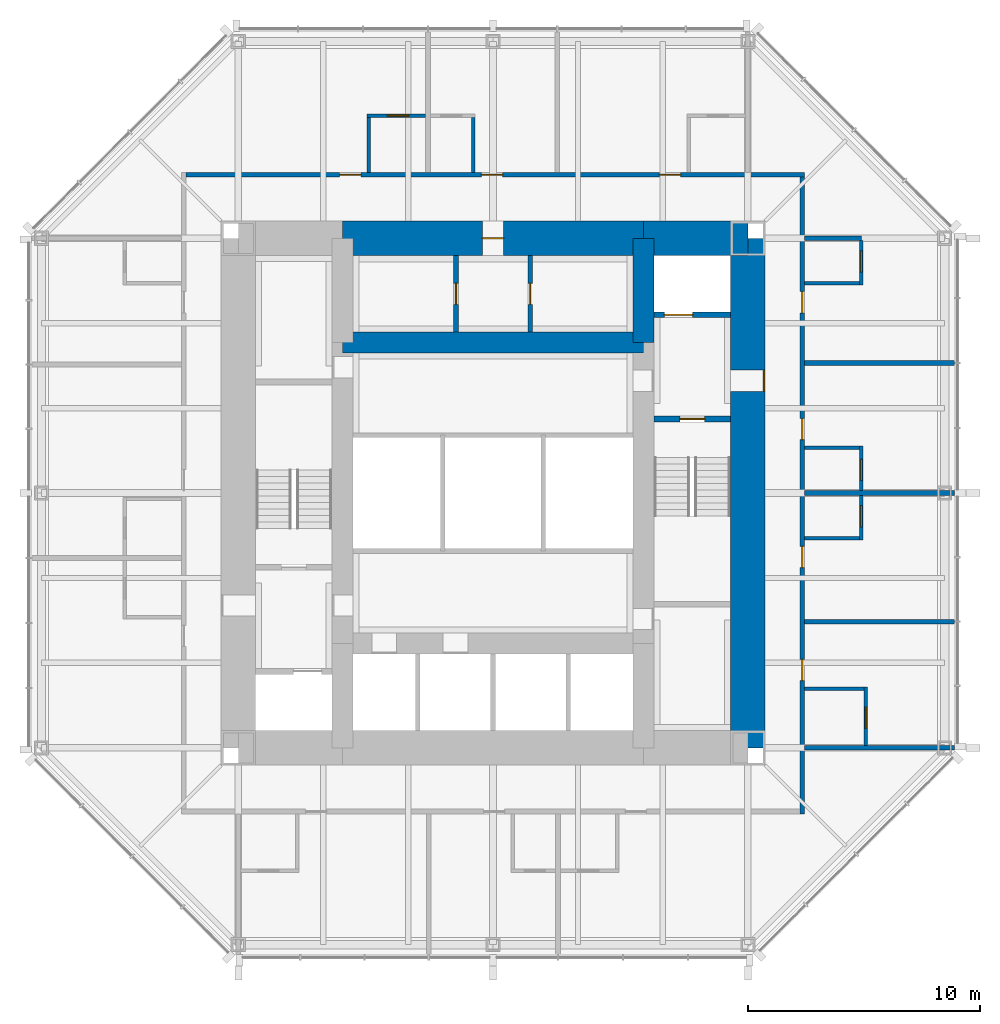
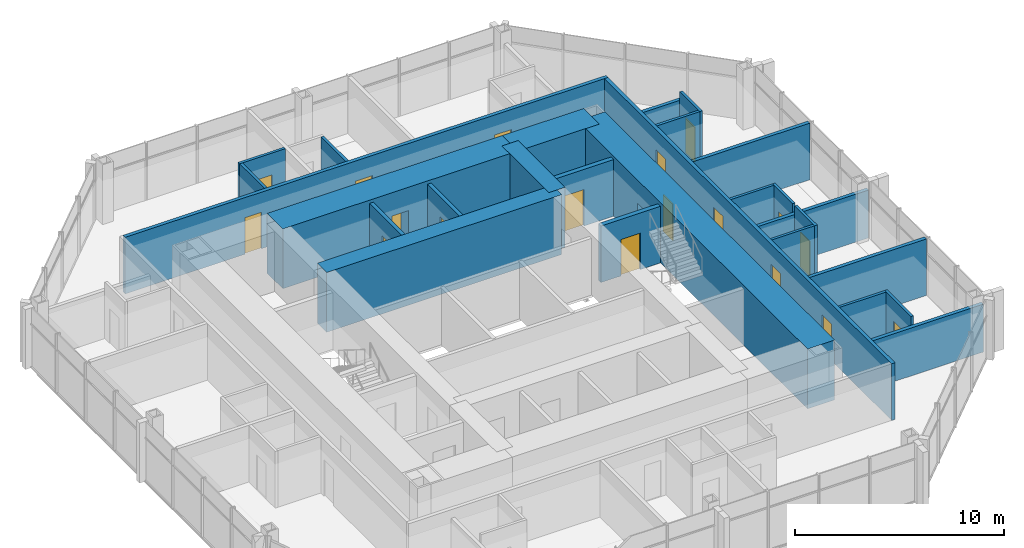
# One storey, part 9 of 11: 27 walls, 18 doors, 18 openings.
"""IFC4 building model written with IfcOpenShell, lengths in metres."""

from ifc_helpers import new_model, si_unit, direction, frame, frame_2d, origin, place, context, subcontext, project, spatial, rectangle, extrude, material, layer, layer_set, type_object, element, fill, save


model = new_model("IFC4")

# Units and contexts
model_context = context("Model", 3, precision=1e-05, world=origin(), true_north=direction((0.0, 1.0)))
body_context = subcontext(model_context, "Body", "Model", "MODEL_VIEW")
ifc_project = project(units=[si_unit("LENGTHUNIT", "METRE"), si_unit("AREAUNIT", "SQUARE_METRE"), si_unit("VOLUMEUNIT", "CUBIC_METRE"), si_unit("PLANEANGLEUNIT", "RADIAN"), si_unit("MASSUNIT", "GRAM", prefix="KILO")], contexts=[model_context])

# Site, building, storey
site_placement = place(None, origin())
site = spatial("IfcSite", under=ifc_project, at=site_placement, CompositionType="ELEMENT")
building_placement = place(site_placement, origin())
building = spatial("IfcBuilding", under=site, at=building_placement, Name="Trevanion Tower", CompositionType="ELEMENT")
storey_placement = place(building_placement, frame((0.0, 0.0, 218.699951171875)))
storey = spatial("IfcBuildingStorey", under=building, at=storey_placement, Name="L52", CompositionType="ELEMENT", Elevation=218.699951171875)

# Wall, opening, door
ifc_material_1 = material(Name="Concrete 10,000 psi", Category="concrete")
ifc_layer_1 = layer(ifc_material_1, 1.5)
ifc_layer_set_1 = layer_set([ifc_layer_1], Name="CW1 core wall 1500")
wall_type_1 = type_object("IfcWallType", Name="CW1 core wall 1500", PredefinedType="SHEAR", material=ifc_layer_set_1)
wall_1_placement = place(storey_placement, frame((11.0, -11.0, 0.0), z_axis=(0.0, 0.0, 1.0), x_axis=(0.0, 1.0, 0.0)))
wall_1 = element("IfcWall", 1, at=wall_1_placement, inside=storey, type_object=wall_type_1, Name="CW1 CE L52", PredefinedType="SHEAR", context=body_context, shape_type="SweptSolid", body=[
    extrude(rectangle(XDim=22.0, YDim=1.5, at=frame_2d((11.0, 0.0))), origin(), (0.0, 0.0, 1.0), 3.5),
])
opening_1_placement = place(wall_1_placement, frame((15.392578125, 0.0, 0.0)))
opening_1 = element("IfcOpeningElement", 2, at=opening_1_placement, cuts=wall_1, Name="Opening 52-001", PredefinedType="OPENING", context=body_context, shape_type="SweptSolid", body=[
    extrude(rectangle(XDim=0.9150390625, YDim=2.134033203125, at=frame_2d((0.45751953125, 1.06689453125))), frame((0.0, 0.760009765625, 0.0), z_axis=(0.0, -1.0, 0.0), x_axis=(1.0, 0.0, 0.0)), (0.0, 0.0, 1.0), 1.52001953125),
])
ifc_material_2 = material(Name="Hollow metal, fire rated", Category="steel")
door_type_1 = type_object("IfcDoorType", Name="D3 fire lift lobby door", OperationType="SINGLE_SWING_RIGHT", PredefinedType="DOOR", material=ifc_material_2)
door_1_placement = place(opening_1_placement, origin())
door_1 = element("IfcDoor", 3, at=door_1_placement, inside=storey, type_object=door_type_1, Name="Door 52-001", OperationType="SINGLE_SWING_RIGHT", OverallHeight=2.134033203125, OverallWidth=0.9150390625, PredefinedType="DOOR", context=body_context, shape_type="SweptSolid", body=[
    extrude(rectangle(XDim=0.9150390625, YDim=2.134033203125, at=frame_2d((0.45751953125, 1.06689453125))), frame((0.0, -0.6748046875, 0.0), z_axis=(0.0, -1.0, 0.0), x_axis=(1.0, 0.0, 0.0)), (0.0, 0.0, 1.0), 0.050048828125),
])
fill(opening_1, door_1)

# Wall
wall_2_placement = place(storey_placement, frame((11.0, 11.0, 0.0), z_axis=(0.0, 0.0, 1.0), x_axis=(-1.0, 0.0, 0.0)))
element("IfcWall", 4, at=wall_2_placement, inside=storey, type_object=wall_type_1, Name="CW1 CN1 L52", PredefinedType="SHEAR", context=body_context, shape_type="SweptSolid", body=[
    extrude(rectangle(XDim=4.5, YDim=1.5, at=frame_2d((2.25, 0.0))), origin(), (0.0, 0.0, 1.0), 3.5),
])

# Wall, opening, door
wall_3_placement = place(storey_placement, frame((6.5, 11.0, 0.0), z_axis=(0.0, 0.0, 1.0), x_axis=(-1.0, 0.0, 0.0)))
wall_3 = element("IfcWall", 5, at=wall_3_placement, inside=storey, type_object=wall_type_1, Name="CW1 CN2 L52", PredefinedType="SHEAR", context=body_context, shape_type="SweptSolid", body=[
    extrude(rectangle(XDim=13.0, YDim=1.5, at=frame_2d((6.5, 0.0))), origin(), (0.0, 0.0, 1.0), 3.5),
])
opening_2_placement = place(wall_3_placement, frame((6.04248046875, 0.0, 0.0)))
opening_2 = element("IfcOpeningElement", 6, at=opening_2_placement, cuts=wall_3, Name="Opening 52-013", PredefinedType="OPENING", context=body_context, shape_type="SweptSolid", body=[
    extrude(rectangle(XDim=0.9150390625, YDim=2.134033203125, at=frame_2d((0.45751953125, 1.06689453125))), frame((0.0, 0.760009765625, 0.0), z_axis=(0.0, -1.0, 0.0), x_axis=(1.0, 0.0, 0.0)), (0.0, 0.0, 1.0), 1.52001953125),
])
ifc_material_3 = material(Name="Hollow metal, fire rated", Category="steel")
door_type_2 = type_object("IfcDoorType", Name="D5 service room door", OperationType="SINGLE_SWING_RIGHT", PredefinedType="DOOR", material=ifc_material_3)
door_2_placement = place(opening_2_placement, origin())
door_2 = element("IfcDoor", 7, at=door_2_placement, inside=storey, type_object=door_type_2, Name="Door 52-013", OperationType="SINGLE_SWING_RIGHT", OverallHeight=2.134033203125, OverallWidth=0.9150390625, PredefinedType="DOOR", context=body_context, shape_type="SweptSolid", body=[
    extrude(rectangle(XDim=0.9150390625, YDim=2.134033203125, at=frame_2d((0.45751953125, 1.06689453125))), frame((0.0, 0.02490234375, 0.0), z_axis=(0.0, -1.0, 0.0), x_axis=(1.0, 0.0, 0.0)), (0.0, 0.0, 1.0), 0.050048828125),
])
fill(opening_2, door_2)

# Walls
ifc_material_4 = material(Name="Concrete 10,000 psi", Category="concrete")
ifc_layer_2 = layer(ifc_material_4, 0.89990234375)
ifc_layer_set_2 = layer_set([ifc_layer_2], Name="CW2 core wall 900")
wall_type_2 = type_object("IfcWallType", Name="CW2 core wall 900", PredefinedType="SHEAR", material=ifc_layer_set_2)
wall_4_placement = place(storey_placement, frame((6.5, 6.5, 0.0), z_axis=(0.0, 0.0, 1.0), x_axis=(0.0, 1.0, 0.0)))
element("IfcWall", 8, at=wall_4_placement, inside=storey, type_object=wall_type_2, Name="CW2 RE3 L52", PredefinedType="SHEAR", context=body_context, shape_type="SweptSolid", body=[
    extrude(rectangle(XDim=4.5, YDim=0.89990234375, at=frame_2d((2.25, 0.0))), origin(), (0.0, 0.0, 1.0), 3.5),
])
wall_5_placement = place(storey_placement, frame((6.5, 6.5, 0.0), z_axis=(0.0, 0.0, 1.0), x_axis=(-1.0, 0.0, 0.0)))
element("IfcWall", 9, at=wall_5_placement, inside=storey, type_object=wall_type_2, Name="CW2 RN L52", PredefinedType="SHEAR", context=body_context, shape_type="SweptSolid", body=[
    extrude(rectangle(XDim=13.0, YDim=0.89990234375, at=frame_2d((6.5, 0.0))), origin(), (0.0, 0.0, 1.0), 3.5),
])

# Wall, opening, door
ifc_material_5 = material(Name="Gypsum board on steel studs", Category="steel")
ifc_layer_3 = layer(ifc_material_5, 0.14990234375)
ifc_layer_set_3 = layer_set([ifc_layer_3], Name="PT1 partition 150")
wall_type_3 = type_object("IfcWallType", Name="PT1 partition 150", PredefinedType="PARTITIONING", material=ifc_layer_set_3)
wall_6_placement = place(storey_placement, frame((16.10009765625, -10.89990234375, 0.0), z_axis=(0.0, 0.0, 1.0), x_axis=(0.0, 1.0, 0.0)))
wall_6 = element("IfcWall", 10, at=wall_6_placement, inside=storey, type_object=wall_type_3, Name="PT1 L52 BA00", PredefinedType="PARTITIONING", context=body_context, shape_type="SweptSolid", body=[
    extrude(rectangle(XDim=2.52490234375, YDim=0.14990234375, at=frame_2d((1.262451171875, 0.0))), origin(), (0.0, 0.0, 1.0), 3.31005859375),
])
opening_3_placement = place(wall_6_placement, frame((0.742431640625, 0.0, 0.0)))
opening_3 = element("IfcOpeningElement", 11, at=opening_3_placement, cuts=wall_6, Name="Opening 52-016", PredefinedType="OPENING", context=body_context, shape_type="SweptSolid", body=[
    extrude(rectangle(XDim=0.9150390625, YDim=2.031982421875, at=frame_2d((0.45751953125, 1.01611328125))), frame((0.0, 0.0849609375, 0.0), z_axis=(0.0, -1.0, 0.0), x_axis=(1.0, 0.0, 0.0)), (0.0, 0.0, 1.0), 0.169921875),
])
ifc_material_6 = material(Name="Timber veneer", Category="wood")
door_type_3 = type_object("IfcDoorType", Name="D7 bathroom door", OperationType="SINGLE_SWING_LEFT", PredefinedType="DOOR", material=ifc_material_6)
door_3_placement = place(opening_3_placement, origin())
door_3 = element("IfcDoor", 12, at=door_3_placement, inside=storey, type_object=door_type_3, Name="Door 52-016", OperationType="SINGLE_SWING_LEFT", OverallHeight=2.031982421875, OverallWidth=0.9150390625, PredefinedType="DOOR", context=body_context, shape_type="SweptSolid", body=[
    extrude(rectangle(XDim=0.9150390625, YDim=2.031982421875, at=frame_2d((0.45751953125, 1.01611328125))), frame((0.0, 0.02490234375, 0.0), z_axis=(0.0, -1.0, 0.0), x_axis=(1.0, 0.0, 0.0)), (0.0, 0.0, 1.0), 0.050048828125),
])
fill(opening_3, door_3)

# Wall
wall_7_placement = place(storey_placement, frame((13.449951171875, -8.449951171875, 0.0), z_axis=(0.0, 0.0, 1.0), x_axis=(1.0, 0.0, 0.0)))
element("IfcWall", 13, at=wall_7_placement, inside=storey, type_object=wall_type_3, Name="PT1 L52 BB00", PredefinedType="PARTITIONING", context=body_context, shape_type="SweptSolid", body=[
    extrude(rectangle(XDim=2.574951171875, YDim=0.14990234375, at=frame_2d((1.28759765625, 0.0))), origin(), (0.0, 0.0, 1.0), 3.31005859375),
])

# Wall, opening, door
wall_8_placement = place(storey_placement, frame((15.89990234375, -2.02490234375, 0.0), z_axis=(0.0, 0.0, 1.0), x_axis=(0.0, 1.0, 0.0)))
wall_8 = element("IfcWall", 14, at=wall_8_placement, inside=storey, type_object=wall_type_3, Name="PT1 L52 BA01", PredefinedType="PARTITIONING", context=body_context, shape_type="SweptSolid", body=[
    extrude(rectangle(XDim=1.9248046875, YDim=0.14990234375, at=frame_2d((0.96240234375, 0.0))), origin(), (0.0, 0.0, 1.0), 3.31005859375),
])
opening_4_placement = place(wall_8_placement, frame((0.5673828125, 0.0, 0.0)))
opening_4 = element("IfcOpeningElement", 15, at=opening_4_placement, cuts=wall_8, Name="Opening 52-018", PredefinedType="OPENING", context=body_context, shape_type="SweptSolid", body=[
    extrude(rectangle(XDim=0.9150390625, YDim=2.031982421875, at=frame_2d((0.45751953125, 1.01611328125))), frame((0.0, 0.0849609375, 0.0), z_axis=(0.0, -1.0, 0.0), x_axis=(1.0, 0.0, 0.0)), (0.0, 0.0, 1.0), 0.169921875),
])
door_4_placement = place(opening_4_placement, origin())
door_4 = element("IfcDoor", 16, at=door_4_placement, inside=storey, type_object=door_type_3, Name="Door 52-018", OperationType="SINGLE_SWING_LEFT", OverallHeight=2.031982421875, OverallWidth=0.9150390625, PredefinedType="DOOR", context=body_context, shape_type="SweptSolid", body=[
    extrude(rectangle(XDim=0.9150390625, YDim=2.031982421875, at=frame_2d((0.45751953125, 1.01611328125))), frame((0.0, 0.02490234375, 0.0), z_axis=(0.0, -1.0, 0.0), x_axis=(1.0, 0.0, 0.0)), (0.0, 0.0, 1.0), 0.050048828125),
])
fill(opening_4, door_4)

# Wall
wall_9_placement = place(storey_placement, frame((13.449951171875, -1.949951171875, 0.0), z_axis=(0.0, 0.0, 1.0), x_axis=(1.0, 0.0, 0.0)))
element("IfcWall", 17, at=wall_9_placement, inside=storey, type_object=wall_type_3, Name="PT1 L52 BB01", PredefinedType="PARTITIONING", context=body_context, shape_type="SweptSolid", body=[
    extrude(rectangle(XDim=2.375, YDim=0.14990234375, at=frame_2d((1.1875, 0.0))), origin(), (0.0, 0.0, 1.0), 3.31005859375),
])

# Wall, opening, door
wall_10_placement = place(storey_placement, frame((15.89990234375, 0.10009765625, 0.0), z_axis=(0.0, 0.0, 1.0), x_axis=(0.0, 1.0, 0.0)))
wall_10 = element("IfcWall", 18, at=wall_10_placement, inside=storey, type_object=wall_type_3, Name="PT1 L52 BA02", PredefinedType="PARTITIONING", context=body_context, shape_type="SweptSolid", body=[
    extrude(rectangle(XDim=1.9248046875, YDim=0.14990234375, at=frame_2d((0.96240234375, 0.0))), origin(), (0.0, 0.0, 1.0), 3.31005859375),
])
opening_5_placement = place(wall_10_placement, frame((0.4423828125, 0.0, 0.0)))
opening_5 = element("IfcOpeningElement", 19, at=opening_5_placement, cuts=wall_10, Name="Opening 52-020", PredefinedType="OPENING", context=body_context, shape_type="SweptSolid", body=[
    extrude(rectangle(XDim=0.9150390625, YDim=2.031982421875, at=frame_2d((0.45751953125, 1.01611328125))), frame((0.0, 0.0849609375, 0.0), z_axis=(0.0, -1.0, 0.0), x_axis=(1.0, 0.0, 0.0)), (0.0, 0.0, 1.0), 0.169921875),
])
door_5_placement = place(opening_5_placement, origin())
door_5 = element("IfcDoor", 20, at=door_5_placement, inside=storey, type_object=door_type_3, Name="Door 52-020", OperationType="SINGLE_SWING_LEFT", OverallHeight=2.031982421875, OverallWidth=0.9150390625, PredefinedType="DOOR", context=body_context, shape_type="SweptSolid", body=[
    extrude(rectangle(XDim=0.9150390625, YDim=2.031982421875, at=frame_2d((0.45751953125, 1.01611328125))), frame((0.0, 0.02490234375, 0.0), z_axis=(0.0, -1.0, 0.0), x_axis=(1.0, 0.0, 0.0)), (0.0, 0.0, 1.0), 0.050048828125),
])
fill(opening_5, door_5)

# Wall
wall_11_placement = place(storey_placement, frame((13.449951171875, 1.949951171875, 0.0), z_axis=(0.0, 0.0, 1.0), x_axis=(1.0, 0.0, 0.0)))
element("IfcWall", 21, at=wall_11_placement, inside=storey, type_object=wall_type_3, Name="PT1 L52 BB02", PredefinedType="PARTITIONING", context=body_context, shape_type="SweptSolid", body=[
    extrude(rectangle(XDim=2.375, YDim=0.14990234375, at=frame_2d((1.1875, 0.0))), origin(), (0.0, 0.0, 1.0), 3.31005859375),
])

# Wall, opening, door
wall_12_placement = place(storey_placement, frame((15.89990234375, 8.97509765625, 0.0), z_axis=(0.0, 0.0, 1.0), x_axis=(0.0, 1.0, 0.0)))
wall_12 = element("IfcWall", 22, at=wall_12_placement, inside=storey, type_object=wall_type_3, Name="PT1 L52 BA03", PredefinedType="PARTITIONING", context=body_context, shape_type="SweptSolid", body=[
    extrude(rectangle(XDim=1.9248046875, YDim=0.14990234375, at=frame_2d((0.96240234375, 0.0))), origin(), (0.0, 0.0, 1.0), 3.31005859375),
])
opening_6_placement = place(wall_12_placement, frame((0.5673828125, 0.0, 0.0)))
opening_6 = element("IfcOpeningElement", 23, at=opening_6_placement, cuts=wall_12, Name="Opening 52-022", PredefinedType="OPENING", context=body_context, shape_type="SweptSolid", body=[
    extrude(rectangle(XDim=0.9150390625, YDim=2.031982421875, at=frame_2d((0.45751953125, 1.01611328125))), frame((0.0, 0.0849609375, 0.0), z_axis=(0.0, -1.0, 0.0), x_axis=(1.0, 0.0, 0.0)), (0.0, 0.0, 1.0), 0.169921875),
])
door_6_placement = place(opening_6_placement, origin())
door_6 = element("IfcDoor", 24, at=door_6_placement, inside=storey, type_object=door_type_3, Name="Door 52-022", OperationType="SINGLE_SWING_LEFT", OverallHeight=2.031982421875, OverallWidth=0.9150390625, PredefinedType="DOOR", context=body_context, shape_type="SweptSolid", body=[
    extrude(rectangle(XDim=0.9150390625, YDim=2.031982421875, at=frame_2d((0.45751953125, 1.01611328125))), frame((0.0, 0.02490234375, 0.0), z_axis=(0.0, -1.0, 0.0), x_axis=(1.0, 0.0, 0.0)), (0.0, 0.0, 1.0), 0.050048828125),
])
fill(opening_6, door_6)

# Walls
for number, where, z_axis, x_axis, name in (
    (25, (13.449951171875, 9.050048828125, 0.0), (0.0, 0.0, 1.0), (1.0, 0.0, 0.0), "PT1 L52 BB03"),
    (26, (-0.85693359375, 13.85009765625, 0.0), (0.0, 0.0, 1.0), (0.0, 1.0, 0.0), "PT1 L52 BB11"),
):
    element("IfcWall", number, at=place(storey_placement, frame(where, z_axis=z_axis, x_axis=x_axis)), inside=storey, type_object=wall_type_3, Name=name, PredefinedType="PARTITIONING", context=body_context, shape_type="SweptSolid", body=[
        extrude(rectangle(XDim=2.375, YDim=0.14990234375, at=frame_2d((1.1875, 0.0))), origin(), (0.0, 0.0, 1.0), 3.31005859375),
    ])

# Wall, opening, door
wall_13_placement = place(storey_placement, frame((-2.906982421875, 16.300048828125, 0.0), z_axis=(0.0, 0.0, 1.0), x_axis=(-1.0, 0.0, 0.0)))
wall_13 = element("IfcWall", 27, at=wall_13_placement, inside=storey, type_object=wall_type_3, Name="PT1 L52 BA12", PredefinedType="PARTITIONING", context=body_context, shape_type="SweptSolid", body=[
    extrude(rectangle(XDim=2.52490234375, YDim=0.14990234375, at=frame_2d((1.262451171875, 0.0))), origin(), (0.0, 0.0, 1.0), 3.31005859375),
])
opening_7_placement = place(wall_13_placement, frame((0.742431640625, 0.0, 0.0)))
opening_7 = element("IfcOpeningElement", 28, at=opening_7_placement, cuts=wall_13, Name="Opening 52-028", PredefinedType="OPENING", context=body_context, shape_type="SweptSolid", body=[
    extrude(rectangle(XDim=0.9150390625, YDim=2.031982421875, at=frame_2d((0.45751953125, 1.01611328125))), frame((0.0, 0.0849609375, 0.0), z_axis=(0.0, -1.0, 0.0), x_axis=(1.0, 0.0, 0.0)), (0.0, 0.0, 1.0), 0.169921875),
])
door_7_placement = place(opening_7_placement, origin())
door_7 = element("IfcDoor", 29, at=door_7_placement, inside=storey, type_object=door_type_3, Name="Door 52-028", OperationType="SINGLE_SWING_LEFT", OverallHeight=2.031982421875, OverallWidth=0.9150390625, PredefinedType="DOOR", context=body_context, shape_type="SweptSolid", body=[
    extrude(rectangle(XDim=0.9150390625, YDim=2.031982421875, at=frame_2d((0.45751953125, 1.01611328125))), frame((0.0, 0.02490234375, 0.0), z_axis=(0.0, -1.0, 0.0), x_axis=(1.0, 0.0, 0.0)), (0.0, 0.0, 1.0), 0.050048828125),
])
fill(opening_7, door_7)

# Wall
wall_14_placement = place(storey_placement, frame((-5.35693359375, 13.85009765625, 0.0), z_axis=(0.0, 0.0, 1.0), x_axis=(0.0, 1.0, 0.0)))
element("IfcWall", 30, at=wall_14_placement, inside=storey, type_object=wall_type_3, Name="PT1 L52 BB12", PredefinedType="PARTITIONING", context=body_context, shape_type="SweptSolid", body=[
    extrude(rectangle(XDim=2.375, YDim=0.14990234375, at=frame_2d((1.1875, 0.0))), origin(), (0.0, 0.0, 1.0), 3.31005859375),
])

# Wall, opening, door
ifc_material_7 = material(Name="Concrete masonry, grouted", Category="masonry")
ifc_layer_4 = layer(ifc_material_7, 0.199951171875)
ifc_layer_set_4 = layer_set([ifc_layer_4], Name="PT2 partition 200 1 HR")
wall_type_4 = type_object("IfcWallType", Name="PT2 partition 200 1 HR", PredefinedType="PARTITIONING", material=ifc_layer_set_4)
wall_15_placement = place(storey_placement, frame((-1.60009765625, 6.949951171875, 0.0), z_axis=(0.0, 0.0, 1.0), x_axis=(0.0, 1.0, 0.0)))
wall_15 = element("IfcWall", 31, at=wall_15_placement, inside=storey, type_object=wall_type_4, Name="PT2 L52 HKP1", PredefinedType="PARTITIONING", context=body_context, shape_type="SweptSolid", body=[
    extrude(rectangle(XDim=3.300048828125, YDim=0.199951171875, at=frame_2d((1.64990234375, 0.0))), origin(), (0.0, 0.0, 1.0), 3.31005859375),
])
opening_8_placement = place(wall_15_placement, frame((1.1923828125, 0.0, 0.0)))
opening_8 = element("IfcOpeningElement", 32, at=opening_8_placement, cuts=wall_15, Name="Opening 52-014", PredefinedType="OPENING", context=body_context, shape_type="SweptSolid", body=[
    extrude(rectangle(XDim=0.9150390625, YDim=2.134033203125, at=frame_2d((0.45751953125, 1.06689453125))), frame((0.0, 0.10986328125, 0.0), z_axis=(0.0, -1.0, 0.0), x_axis=(1.0, 0.0, 0.0)), (0.0, 0.0, 1.0), 0.219970703125),
])
door_8_placement = place(opening_8_placement, origin())
door_8 = element("IfcDoor", 33, at=door_8_placement, inside=storey, type_object=door_type_2, Name="Door 52-014", OperationType="SINGLE_SWING_RIGHT", OverallHeight=2.134033203125, OverallWidth=0.9150390625, PredefinedType="DOOR", context=body_context, shape_type="SweptSolid", body=[
    extrude(rectangle(XDim=0.9150390625, YDim=2.134033203125, at=frame_2d((0.45751953125, 1.06689453125))), frame((0.0, 0.02490234375, 0.0), z_axis=(0.0, -1.0, 0.0), x_axis=(1.0, 0.0, 0.0)), (0.0, 0.0, 1.0), 0.050048828125),
])
fill(opening_8, door_8)

wall_16_placement = place(storey_placement, frame((1.60009765625, 6.949951171875, 0.0), z_axis=(0.0, 0.0, 1.0), x_axis=(0.0, 1.0, 0.0)))
wall_16 = element("IfcWall", 34, at=wall_16_placement, inside=storey, type_object=wall_type_4, Name="PT2 L52 HKP2", PredefinedType="PARTITIONING", context=body_context, shape_type="SweptSolid", body=[
    extrude(rectangle(XDim=3.300048828125, YDim=0.199951171875, at=frame_2d((1.64990234375, 0.0))), origin(), (0.0, 0.0, 1.0), 3.31005859375),
])
opening_9_placement = place(wall_16_placement, frame((1.1923828125, 0.0, 0.0)))
opening_9 = element("IfcOpeningElement", 35, at=opening_9_placement, cuts=wall_16, Name="Opening 52-015", PredefinedType="OPENING", context=body_context, shape_type="SweptSolid", body=[
    extrude(rectangle(XDim=0.9150390625, YDim=2.134033203125, at=frame_2d((0.45751953125, 1.06689453125))), frame((0.0, 0.10986328125, 0.0), z_axis=(0.0, -1.0, 0.0), x_axis=(1.0, 0.0, 0.0)), (0.0, 0.0, 1.0), 0.219970703125),
])
door_9_placement = place(opening_9_placement, origin())
door_9 = element("IfcDoor", 36, at=door_9_placement, inside=storey, type_object=door_type_2, Name="Door 52-015", OperationType="SINGLE_SWING_RIGHT", OverallHeight=2.134033203125, OverallWidth=0.9150390625, PredefinedType="DOOR", context=body_context, shape_type="SweptSolid", body=[
    extrude(rectangle(XDim=0.9150390625, YDim=2.134033203125, at=frame_2d((0.45751953125, 1.06689453125))), frame((0.0, 0.02490234375, 0.0), z_axis=(0.0, -1.0, 0.0), x_axis=(1.0, 0.0, 0.0)), (0.0, 0.0, 1.0), 0.050048828125),
])
fill(opening_9, door_9)

# Wall, openings, doors
wall_17_placement = place(storey_placement, frame((13.35009765625, -13.85009765625, 0.0), z_axis=(0.0, 0.0, 1.0), x_axis=(0.0, 1.0, 0.0)))
wall_17 = element("IfcWall", 37, at=wall_17_placement, inside=storey, type_object=wall_type_4, Name="PT2 L52 HC0", PredefinedType="PARTITIONING", context=body_context, shape_type="SweptSolid", body=[
    extrude(rectangle(XDim=27.5, YDim=0.199951171875, at=frame_2d((13.75, 0.0))), origin(), (0.0, 0.0, 1.0), 3.31005859375),
])
opening_10_placement = place(wall_17_placement, frame((5.75244140625, 0.0, 0.0)))
opening_10 = element("IfcOpeningElement", 38, at=opening_10_placement, cuts=wall_17, Name="Opening 52-017", PredefinedType="OPENING", context=body_context, shape_type="SweptSolid", body=[
    extrude(rectangle(XDim=0.9150390625, YDim=2.134033203125, at=frame_2d((0.45751953125, 1.06689453125))), frame((0.0, 0.10986328125, 0.0), z_axis=(0.0, -1.0, 0.0), x_axis=(1.0, 0.0, 0.0)), (0.0, 0.0, 1.0), 0.219970703125),
])
opening_11_placement = place(wall_17_placement, frame((10.632568359375, 0.0, 0.0)))
opening_11 = element("IfcOpeningElement", 39, at=opening_11_placement, cuts=wall_17, Name="Opening 52-019", PredefinedType="OPENING", context=body_context, shape_type="SweptSolid", body=[
    extrude(rectangle(XDim=0.9150390625, YDim=2.134033203125, at=frame_2d((0.45751953125, 1.06689453125))), frame((0.0, 0.10986328125, 0.0), z_axis=(0.0, -1.0, 0.0), x_axis=(1.0, 0.0, 0.0)), (0.0, 0.0, 1.0), 0.219970703125),
])
opening_12_placement = place(wall_17_placement, frame((16.152587890625, 0.0, 0.0)))
opening_12 = element("IfcOpeningElement", 40, at=opening_12_placement, cuts=wall_17, Name="Opening 52-021", PredefinedType="OPENING", context=body_context, shape_type="SweptSolid", body=[
    extrude(rectangle(XDim=0.9150390625, YDim=2.134033203125, at=frame_2d((0.45751953125, 1.06689453125))), frame((0.0, 0.10986328125, 0.0), z_axis=(0.0, -1.0, 0.0), x_axis=(1.0, 0.0, 0.0)), (0.0, 0.0, 1.0), 0.219970703125),
])
opening_13_placement = place(wall_17_placement, frame((21.632568359375, 0.0, 0.0)))
opening_13 = element("IfcOpeningElement", 41, at=opening_13_placement, cuts=wall_17, Name="Opening 52-023", PredefinedType="OPENING", context=body_context, shape_type="SweptSolid", body=[
    extrude(rectangle(XDim=0.9150390625, YDim=2.134033203125, at=frame_2d((0.45751953125, 1.06689453125))), frame((0.0, 0.10986328125, 0.0), z_axis=(0.0, -1.0, 0.0), x_axis=(1.0, 0.0, 0.0)), (0.0, 0.0, 1.0), 0.219970703125),
])
ifc_material_8 = material(Name="Timber veneer, fire rated", Category="wood")
door_type_4 = type_object("IfcDoorType", Name="D6 guest room entrance door", OperationType="SINGLE_SWING_LEFT", PredefinedType="DOOR", material=ifc_material_8)
door_10_placement = place(opening_10_placement, origin())
door_10 = element("IfcDoor", 42, at=door_10_placement, inside=storey, type_object=door_type_4, Name="Door 52-017", OperationType="SINGLE_SWING_LEFT", OverallHeight=2.134033203125, OverallWidth=0.9150390625, PredefinedType="DOOR", context=body_context, shape_type="SweptSolid", body=[
    extrude(rectangle(XDim=0.9150390625, YDim=2.134033203125, at=frame_2d((0.45751953125, 1.06689453125))), frame((0.0, 0.02490234375, 0.0), z_axis=(0.0, -1.0, 0.0), x_axis=(1.0, 0.0, 0.0)), (0.0, 0.0, 1.0), 0.050048828125),
])
fill(opening_10, door_10)
door_11_placement = place(opening_11_placement, origin())
door_11 = element("IfcDoor", 43, at=door_11_placement, inside=storey, type_object=door_type_4, Name="Door 52-019", OperationType="SINGLE_SWING_LEFT", OverallHeight=2.134033203125, OverallWidth=0.9150390625, PredefinedType="DOOR", context=body_context, shape_type="SweptSolid", body=[
    extrude(rectangle(XDim=0.9150390625, YDim=2.134033203125, at=frame_2d((0.45751953125, 1.06689453125))), frame((0.0, 0.02490234375, 0.0), z_axis=(0.0, -1.0, 0.0), x_axis=(1.0, 0.0, 0.0)), (0.0, 0.0, 1.0), 0.050048828125),
])
fill(opening_11, door_11)
door_12_placement = place(opening_12_placement, origin())
door_12 = element("IfcDoor", 44, at=door_12_placement, inside=storey, type_object=door_type_4, Name="Door 52-021", OperationType="SINGLE_SWING_LEFT", OverallHeight=2.134033203125, OverallWidth=0.9150390625, PredefinedType="DOOR", context=body_context, shape_type="SweptSolid", body=[
    extrude(rectangle(XDim=0.9150390625, YDim=2.134033203125, at=frame_2d((0.45751953125, 1.06689453125))), frame((0.0, 0.02490234375, 0.0), z_axis=(0.0, -1.0, 0.0), x_axis=(1.0, 0.0, 0.0)), (0.0, 0.0, 1.0), 0.050048828125),
])
fill(opening_12, door_12)
door_13_placement = place(opening_13_placement, origin())
door_13 = element("IfcDoor", 45, at=door_13_placement, inside=storey, type_object=door_type_4, Name="Door 52-023", OperationType="SINGLE_SWING_LEFT", OverallHeight=2.134033203125, OverallWidth=0.9150390625, PredefinedType="DOOR", context=body_context, shape_type="SweptSolid", body=[
    extrude(rectangle(XDim=0.9150390625, YDim=2.134033203125, at=frame_2d((0.45751953125, 1.06689453125))), frame((0.0, 0.02490234375, 0.0), z_axis=(0.0, -1.0, 0.0), x_axis=(1.0, 0.0, 0.0)), (0.0, 0.0, 1.0), 0.050048828125),
])
fill(opening_13, door_13)

wall_18_placement = place(storey_placement, frame((13.449951171875, 13.75, 0.0), z_axis=(0.0, 0.0, 1.0), x_axis=(-1.0, 0.0, 0.0)))
wall_18 = element("IfcWall", 46, at=wall_18_placement, inside=storey, type_object=wall_type_4, Name="PT2 L52 HC1", PredefinedType="PARTITIONING", context=body_context, shape_type="SweptSolid", body=[
    extrude(rectangle(XDim=26.699951171875, YDim=0.199951171875, at=frame_2d((13.35009765625, 0.0))), origin(), (0.0, 0.0, 1.0), 3.31005859375),
])
opening_14_placement = place(wall_18_placement, frame((5.3525390625, 0.0, 0.0)))
opening_14 = element("IfcOpeningElement", 47, at=opening_14_placement, cuts=wall_18, Name="Opening 52-025", PredefinedType="OPENING", context=body_context, shape_type="SweptSolid", body=[
    extrude(rectangle(XDim=0.9150390625, YDim=2.134033203125, at=frame_2d((0.45751953125, 1.06689453125))), frame((0.0, 0.10986328125, 0.0), z_axis=(0.0, -1.0, 0.0), x_axis=(1.0, 0.0, 0.0)), (0.0, 0.0, 1.0), 0.219970703125),
])
opening_15_placement = place(wall_18_placement, frame((13.03955078125, 0.0, 0.0)))
opening_15 = element("IfcOpeningElement", 48, at=opening_15_placement, cuts=wall_18, Name="Opening 52-027", PredefinedType="OPENING", context=body_context, shape_type="SweptSolid", body=[
    extrude(rectangle(XDim=0.9150390625, YDim=2.134033203125, at=frame_2d((0.45751953125, 1.06689453125))), frame((0.0, 0.10986328125, 0.0), z_axis=(0.0, -1.0, 0.0), x_axis=(1.0, 0.0, 0.0)), (0.0, 0.0, 1.0), 0.219970703125),
])
opening_16_placement = place(wall_18_placement, frame((19.159423828125, 0.0, 0.0)))
opening_16 = element("IfcOpeningElement", 49, at=opening_16_placement, cuts=wall_18, Name="Opening 52-029", PredefinedType="OPENING", context=body_context, shape_type="SweptSolid", body=[
    extrude(rectangle(XDim=0.9150390625, YDim=2.134033203125, at=frame_2d((0.45751953125, 1.06689453125))), frame((0.0, 0.10986328125, 0.0), z_axis=(0.0, -1.0, 0.0), x_axis=(1.0, 0.0, 0.0)), (0.0, 0.0, 1.0), 0.219970703125),
])
door_14_placement = place(opening_14_placement, origin())
door_14 = element("IfcDoor", 50, at=door_14_placement, inside=storey, type_object=door_type_4, Name="Door 52-025", OperationType="SINGLE_SWING_LEFT", OverallHeight=2.134033203125, OverallWidth=0.9150390625, PredefinedType="DOOR", context=body_context, shape_type="SweptSolid", body=[
    extrude(rectangle(XDim=0.9150390625, YDim=2.134033203125, at=frame_2d((0.45751953125, 1.06689453125))), frame((0.0, 0.02490234375, 0.0), z_axis=(0.0, -1.0, 0.0), x_axis=(1.0, 0.0, 0.0)), (0.0, 0.0, 1.0), 0.050048828125),
])
fill(opening_14, door_14)
door_15_placement = place(opening_15_placement, origin())
door_15 = element("IfcDoor", 51, at=door_15_placement, inside=storey, type_object=door_type_4, Name="Door 52-027", OperationType="SINGLE_SWING_LEFT", OverallHeight=2.134033203125, OverallWidth=0.9150390625, PredefinedType="DOOR", context=body_context, shape_type="SweptSolid", body=[
    extrude(rectangle(XDim=0.9150390625, YDim=2.134033203125, at=frame_2d((0.45751953125, 1.06689453125))), frame((0.0, 0.02490234375, 0.0), z_axis=(0.0, -1.0, 0.0), x_axis=(1.0, 0.0, 0.0)), (0.0, 0.0, 1.0), 0.050048828125),
])
fill(opening_15, door_15)
door_16_placement = place(opening_16_placement, origin())
door_16 = element("IfcDoor", 52, at=door_16_placement, inside=storey, type_object=door_type_4, Name="Door 52-029", OperationType="SINGLE_SWING_LEFT", OverallHeight=2.134033203125, OverallWidth=0.9150390625, PredefinedType="DOOR", context=body_context, shape_type="SweptSolid", body=[
    extrude(rectangle(XDim=0.9150390625, YDim=2.134033203125, at=frame_2d((0.45751953125, 1.06689453125))), frame((0.0, 0.02490234375, 0.0), z_axis=(0.0, -1.0, 0.0), x_axis=(1.0, 0.0, 0.0)), (0.0, 0.0, 1.0), 0.050048828125),
])
fill(opening_16, door_16)

# Walls
wall_19_placement = place(storey_placement, frame((13.449951171875, -11.0, 0.0), z_axis=(0.0, 0.0, 1.0), x_axis=(1.0, 0.0, 0.0)))
element("IfcWall", 53, at=wall_19_placement, inside=storey, type_object=wall_type_4, Name="PT2 L52 HD00", PredefinedType="PARTITIONING", context=body_context, shape_type="SweptSolid", body=[
    extrude(rectangle(XDim=6.465087890625, YDim=0.199951171875, at=frame_2d((3.232421875, 0.0))), origin(), (0.0, 0.0, 1.0), 2.802001953125),
])
wall_20_placement = place(storey_placement, frame((13.449951171875, -5.549072265625, 0.0), z_axis=(0.0, 0.0, 1.0), x_axis=(1.0, 0.0, 0.0)))
element("IfcWall", 54, at=wall_20_placement, inside=storey, type_object=wall_type_4, Name="PT2 L52 HD01", PredefinedType="PARTITIONING", context=body_context, shape_type="SweptSolid", body=[
    extrude(rectangle(XDim=6.465087890625, YDim=0.199951171875, at=frame_2d((3.232421875, 0.0))), origin(), (0.0, 0.0, 1.0), 3.31005859375),
])
wall_21_placement = place(storey_placement, frame((13.449951171875, 0.0, 0.0), z_axis=(0.0, 0.0, 1.0), x_axis=(1.0, 0.0, 0.0)))
element("IfcWall", 55, at=wall_21_placement, inside=storey, type_object=wall_type_4, Name="PT2 L52 HD02", PredefinedType="PARTITIONING", context=body_context, shape_type="SweptSolid", body=[
    extrude(rectangle(XDim=6.465087890625, YDim=0.199951171875, at=frame_2d((3.232421875, 0.0))), origin(), (0.0, 0.0, 1.0), 2.802001953125),
])
wall_22_placement = place(storey_placement, frame((13.449951171875, 5.614013671875, 0.0), z_axis=(0.0, 0.0, 1.0), x_axis=(1.0, 0.0, 0.0)))
element("IfcWall", 56, at=wall_22_placement, inside=storey, type_object=wall_type_4, Name="PT2 L52 HD03", PredefinedType="PARTITIONING", context=body_context, shape_type="SweptSolid", body=[
    extrude(rectangle(XDim=6.465087890625, YDim=0.199951171875, at=frame_2d((3.232421875, 0.0))), origin(), (0.0, 0.0, 1.0), 3.31005859375),
])
wall_23_placement = place(storey_placement, frame((13.449951171875, 11.0, 0.0), z_axis=(0.0, 0.0, 1.0), x_axis=(1.0, 0.0, 0.0)))
element("IfcWall", 57, at=wall_23_placement, inside=storey, type_object=wall_type_4, Name="PT2 L52 BC03", PredefinedType="PARTITIONING", context=body_context, shape_type="SweptSolid", body=[
    extrude(rectangle(XDim=2.449951171875, YDim=0.199951171875, at=frame_2d((1.22509765625, 0.0))), origin(), (0.0, 0.0, 1.0), 2.802001953125),
])

# Wall, opening, door
ifc_material_9 = material(Name="Concrete masonry, grouted, two-hour", Category="masonry")
ifc_layer_5 = layer(ifc_material_9, 0.25)
ifc_layer_set_5 = layer_set([ifc_layer_5], Name="PT3 partition 250 2 HR")
wall_type_5 = type_object("IfcWallType", Name="PT3 partition 250 2 HR", PredefinedType="PARTITIONING", material=ifc_layer_set_5)
wall_24_placement = place(storey_placement, frame((6.949951171875, 7.699951171875, 0.0), z_axis=(0.0, 0.0, 1.0), x_axis=(1.0, 0.0, 0.0)))
wall_24 = element("IfcWall", 58, at=wall_24_placement, inside=storey, type_object=wall_type_5, Name="PT3 L52 EP3", PredefinedType="PARTITIONING", context=body_context, shape_type="SweptSolid", body=[
    extrude(rectangle(XDim=3.300048828125, YDim=0.25, at=frame_2d((1.64990234375, 0.0))), origin(), (0.0, 0.0, 1.0), 3.31005859375),
])
opening_17_placement = place(wall_24_placement, frame((0.449951171875, 0.0, 0.0)))
opening_17 = element("IfcOpeningElement", 59, at=opening_17_placement, cuts=wall_24, Name="Opening 52-007", PredefinedType="OPENING", context=body_context, shape_type="SweptSolid", body=[
    extrude(rectangle(XDim=1.218994140625, YDim=2.134033203125, at=frame_2d((0.609375, 1.06689453125))), frame((0.0, 0.135009765625, 0.0), z_axis=(0.0, -1.0, 0.0), x_axis=(1.0, 0.0, 0.0)), (0.0, 0.0, 1.0), 0.27001953125),
])
ifc_material_10 = material(Name="Stainless steel, fire rated", Category="steel")
door_type_5 = type_object("IfcDoorType", Name="LD2 fire service lift landing door", OperationType="SLIDING_TO_LEFT", PredefinedType="DOOR", material=ifc_material_10)
door_17_placement = place(opening_17_placement, origin())
door_17 = element("IfcDoor", 60, at=door_17_placement, inside=storey, type_object=door_type_5, Name="Door 52-007", OperationType="SLIDING_TO_LEFT", OverallHeight=2.134033203125, OverallWidth=1.218994140625, PredefinedType="DOOR", context=body_context, shape_type="SweptSolid", body=[
    extrude(rectangle(XDim=1.218994140625, YDim=2.134033203125, at=frame_2d((0.609375, 1.06689453125))), frame((0.0, 0.02490234375, 0.0), z_axis=(0.0, -1.0, 0.0), x_axis=(1.0, 0.0, 0.0)), (0.0, 0.0, 1.0), 0.050048828125),
])
fill(opening_17, door_17)

ifc_material_11 = material(Name="Reinforced masonry, fully grouted", Category="masonry")
ifc_layer_6 = layer(ifc_material_11, 0.25)
ifc_layer_set_6 = layer_set([ifc_layer_6], Name="SW1 stair shaft wall 250")
wall_type_6 = type_object("IfcWallType", Name="SW1 stair shaft wall 250", PredefinedType="SOLIDWALL", material=ifc_layer_set_6)
wall_25_placement = place(storey_placement, frame((6.949951171875, 3.199951171875, 0.0), z_axis=(0.0, 0.0, 1.0), x_axis=(1.0, 0.0, 0.0)))
wall_25 = element("IfcWall", 61, at=wall_25_placement, inside=storey, type_object=wall_type_6, Name="SW1 L52 EP2", PredefinedType="SOLIDWALL", context=body_context, shape_type="SweptSolid", body=[
    extrude(rectangle(XDim=3.300048828125, YDim=0.25, at=frame_2d((1.64990234375, 0.0))), origin(), (0.0, 0.0, 1.0), 3.31005859375),
])
opening_18_placement = place(wall_25_placement, frame((1.116455078125, 0.0, 0.0)))
opening_18 = element("IfcOpeningElement", 62, at=opening_18_placement, cuts=wall_25, Name="Opening 52-005", PredefinedType="OPENING", context=body_context, shape_type="SweptSolid", body=[
    extrude(rectangle(XDim=1.06689453125, YDim=2.134033203125, at=frame_2d((0.533447265625, 1.06689453125))), frame((0.0, 0.135009765625, 0.0), z_axis=(0.0, -1.0, 0.0), x_axis=(1.0, 0.0, 0.0)), (0.0, 0.0, 1.0), 0.27001953125),
])
ifc_material_12 = material(Name="Hollow metal, fire rated", Category="steel")
door_type_6 = type_object("IfcDoorType", Name="D2 exit stair door", OperationType="SINGLE_SWING_LEFT", PredefinedType="DOOR", material=ifc_material_12)
door_18_placement = place(opening_18_placement, origin())
door_18 = element("IfcDoor", 63, at=door_18_placement, inside=storey, type_object=door_type_6, Name="Door 52-005", OperationType="SINGLE_SWING_LEFT", OverallHeight=2.134033203125, OverallWidth=1.06689453125, PredefinedType="DOOR", context=body_context, shape_type="SweptSolid", body=[
    extrude(rectangle(XDim=1.06689453125, YDim=2.134033203125, at=frame_2d((0.533447265625, 1.06689453125))), frame((0.0, 0.02490234375, 0.0), z_axis=(0.0, -1.0, 0.0), x_axis=(1.0, 0.0, 0.0)), (0.0, 0.0, 1.0), 0.050048828125),
])
fill(opening_18, door_18)

save(model, "model.ifc")
